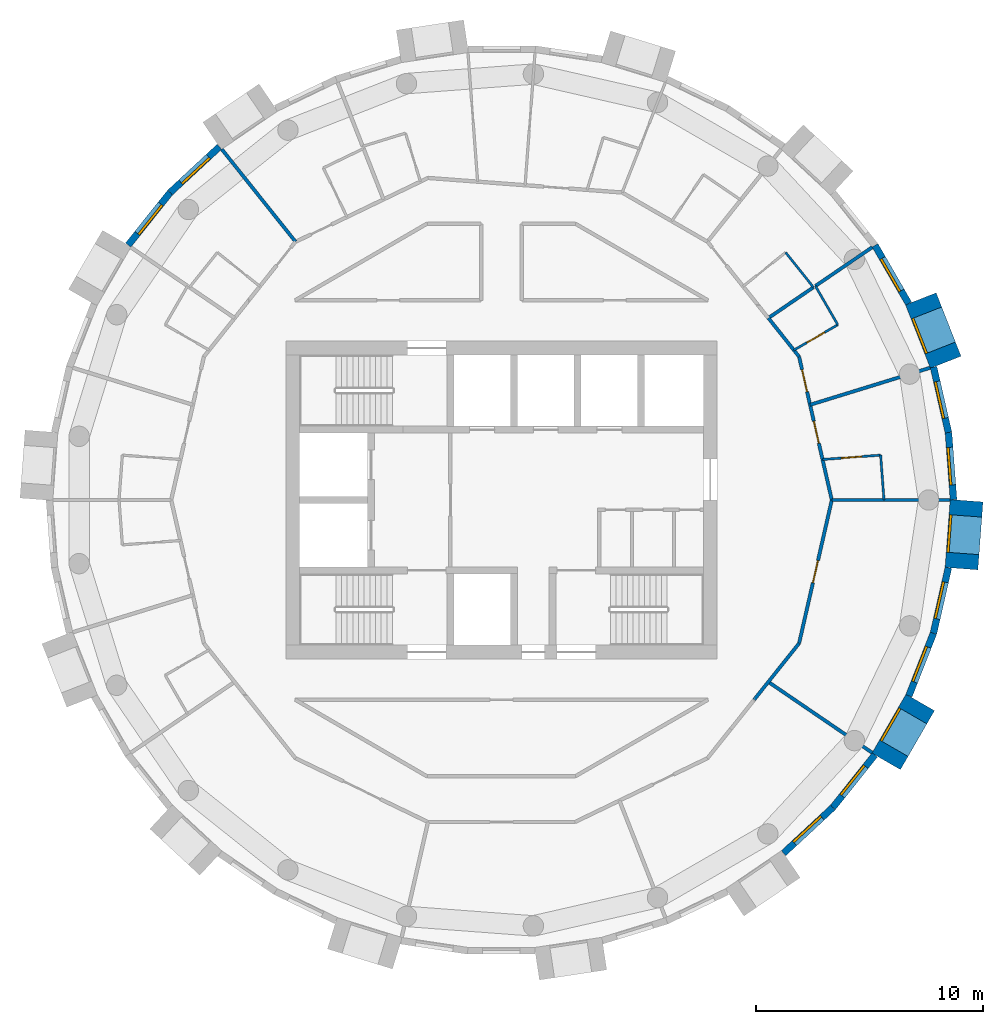
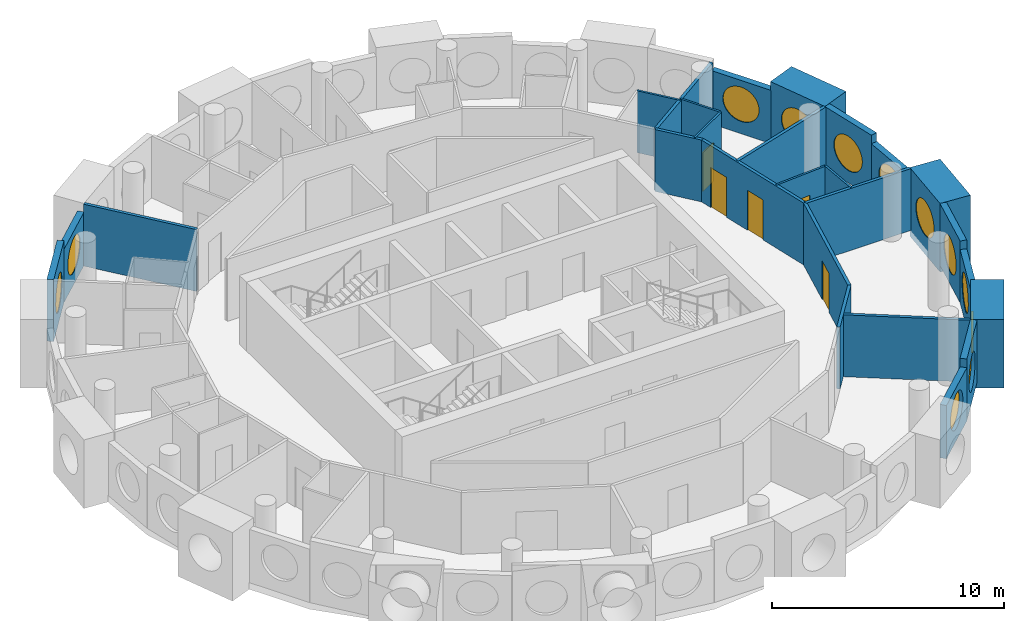
# One storey, part 9 of 12: 27 walls, 12 windows, 5 doors, 17 openings.
"""IFC4 building model written with IfcOpenShell, lengths in metres."""

from ifc_helpers import new_model, si_unit, direction, frame, frame_2d, origin, origin_2d, place, context, subcontext, project, spatial, rectangle, circle, extrude, material, layer, layer_set, type_object, element, fill, save


model = new_model("IFC4")

# Units and contexts
model_context = context("Model", 3, precision=1e-05, world=origin(), true_north=direction((0.0, 1.0)))
body_context = subcontext(model_context, "Body", "Model", "MODEL_VIEW")
ifc_project = project(units=[si_unit("LENGTHUNIT", "METRE"), si_unit("AREAUNIT", "SQUARE_METRE"), si_unit("VOLUMEUNIT", "CUBIC_METRE"), si_unit("PLANEANGLEUNIT", "RADIAN"), si_unit("MASSUNIT", "GRAM", prefix="KILO")], contexts=[model_context])

# Site, building, storey
site_placement = place(None, origin())
site = spatial("IfcSite", under=ifc_project, at=site_placement, CompositionType="ELEMENT")
building_placement = place(site_placement, origin())
building = spatial("IfcBuilding", under=site, at=building_placement, Name="Tracery Tower", CompositionType="ELEMENT")
storey_placement = place(building_placement, frame((0.0, 0.0, 305.39990234375)))
storey = spatial("IfcBuildingStorey", under=building, at=storey_placement, Name="L79", CompositionType="ELEMENT", Elevation=305.39990234375)

# Wall, opening, window
ifc_material_1 = material(Name="Precast concrete C50/60", Category="concrete")
ifc_layer_1 = layer(ifc_material_1, 1.449951171875)
ifc_layer_set_1 = layer_set([ifc_layer_1], Name="Deep-set bay unit 3000 x 3600, slab edge 350")
wall_type_1 = type_object("IfcWallType", Name="Deep-set bay unit 3000 x 3600, slab edge 350", PredefinedType="ELEMENTEDWALL", material=ifc_layer_set_1)
wall_1_placement = place(storey_placement, frame((19.576171875, 6.071533203125, -0.349853515625), z_axis=(0.0, 0.0, 1.0), x_axis=(-0.36537792632, 0.93085926485, 0.0)))
wall_1 = element("IfcWall", 1, at=wall_1_placement, inside=storey, type_object=wall_type_1, Name="Deep-set bay unit 3 at L79", PredefinedType="ELEMENTEDWALL", context=body_context, shape_type="SweptSolid", body=[
    extrude(rectangle(XDim=3.000244140625, YDim=1.449951171875, at=frame_2d((1.5, 0.0))), origin(), (0.0, 0.0, 1.0), 3.599853515625),
])
opening_1_placement = place(wall_1_placement, frame((1.5, 0.0, 1.89990234375)))
opening_1 = element("IfcOpeningElement", 2, at=opening_1_placement, cuts=wall_1, Name="Opening WN1", PredefinedType="OPENING", context=body_context, shape_type="SweptSolid", body=[
    extrude(circle(Radius=0.9000244140625, at=origin_2d()), frame((0.0, 0.73486328125, 0.0), z_axis=(0.0, -1.0, 0.0), x_axis=(1.0, 0.0, 0.0)), (0.0, 0.0, 1.0), 1.469970703125),
])
ifc_material_2 = material(Name="Aluminium frame with tinted double glazing", Category="aluminium")
window_type = type_object("IfcWindowType", Name="Round window 1800", PartitioningType="SINGLE_PANEL", PredefinedType="WINDOW", material=ifc_material_2)
window_1_placement = place(opening_1_placement, origin())
window_1 = element("IfcWindow", 3, at=window_1_placement, inside=storey, type_object=window_type, Name="Round window 3 at L79", OverallHeight=1.800048828125, OverallWidth=1.800048828125, PartitioningType="SINGLE_PANEL", PredefinedType="WINDOW", context=body_context, shape_type="SweptSolid", body=[
    extrude(circle(Radius=0.9000244140625, at=origin_2d()), frame((0.0, 0.69482421875, 0.0), z_axis=(0.0, -1.0, 0.0), x_axis=(1.0, 0.0, 0.0)), (0.0, 0.0, 1.0), 0.10009765625),
])
fill(opening_1, window_1)

wall_2_placement = place(storey_placement, frame((16.952392578125, -11.51953125, -0.349853515625), z_axis=(0.0, 0.0, 1.0), x_axis=(0.499990139034, 0.866031096941, 0.0)))
wall_2 = element("IfcWall", 4, at=wall_2_placement, inside=storey, type_object=wall_type_1, Name="Deep-set bay unit 39 at L79", PredefinedType="ELEMENTEDWALL", context=body_context, shape_type="SweptSolid", body=[
    extrude(rectangle(XDim=3.0, YDim=1.449951171875, at=frame_2d((1.5, 0.0))), origin(), (0.0, 0.0, 1.0), 3.599853515625),
])
opening_2_placement = place(wall_2_placement, frame((1.5, 0.0, 1.89990234375)))
opening_2 = element("IfcOpeningElement", 5, at=opening_2_placement, cuts=wall_2, Name="Opening WN1", PredefinedType="OPENING", context=body_context, shape_type="SweptSolid", body=[
    extrude(circle(Radius=0.9000244140625, at=origin_2d()), frame((0.0, 0.73486328125, 0.0), z_axis=(0.0, -1.0, 0.0), x_axis=(1.0, 0.0, 0.0)), (0.0, 0.0, 1.0), 1.469970703125),
])
window_2_placement = place(opening_2_placement, origin())
window_2 = element("IfcWindow", 6, at=window_2_placement, inside=storey, type_object=window_type, Name="Round window 39 at L79", OverallHeight=1.800048828125, OverallWidth=1.800048828125, PartitioningType="SINGLE_PANEL", PredefinedType="WINDOW", context=body_context, shape_type="SweptSolid", body=[
    extrude(circle(Radius=0.9000244140625, at=origin_2d()), frame((0.0, 0.69482421875, 0.0), z_axis=(0.0, -1.0, 0.0), x_axis=(1.0, 0.0, 0.0)), (0.0, 0.0, 1.0), 0.10009765625),
])
fill(opening_2, window_2)

wall_3_placement = place(storey_placement, frame((20.271728515625, -3.0234375, -0.349853515625), z_axis=(0.0, 0.0, 1.0), x_axis=(0.074785902127, 0.997199613339, 0.0)))
wall_3 = element("IfcWall", 7, at=wall_3_placement, inside=storey, type_object=wall_type_1, Name="Deep-set bay unit 42 at L79", PredefinedType="ELEMENTEDWALL", context=body_context, shape_type="SweptSolid", body=[
    extrude(rectangle(XDim=3.0, YDim=1.449951171875, at=frame_2d((1.5, 0.0))), origin(), (0.0, 0.0, 1.0), 3.599853515625),
])
opening_3_placement = place(wall_3_placement, frame((1.5, 0.0, 1.89990234375)))
opening_3 = element("IfcOpeningElement", 8, at=opening_3_placement, cuts=wall_3, Name="Opening WN1", PredefinedType="OPENING", context=body_context, shape_type="SweptSolid", body=[
    extrude(circle(Radius=0.9000244140625, at=origin_2d()), frame((0.0, 0.73486328125, 0.0), z_axis=(0.0, -1.0, 0.0), x_axis=(1.0, 0.0, 0.0)), (0.0, 0.0, 1.0), 1.469970703125),
])
window_3_placement = place(opening_3_placement, origin())
window_3 = element("IfcWindow", 9, at=window_3_placement, inside=storey, type_object=window_type, Name="Round window 42 at L79", OverallHeight=1.800048828125, OverallWidth=1.800048828125, PartitioningType="SINGLE_PANEL", PredefinedType="WINDOW", context=body_context, shape_type="SweptSolid", body=[
    extrude(circle(Radius=0.9000244140625, at=origin_2d()), frame((0.0, 0.69482421875, 0.0), z_axis=(0.0, -1.0, 0.0), x_axis=(1.0, 0.0, 0.0)), (0.0, 0.0, 1.0), 0.10009765625),
])
fill(opening_3, window_3)

ifc_material_3 = material(Name="Precast concrete C50/60", Category="concrete")
ifc_layer_2 = layer(ifc_material_3, 0.300048828125)
ifc_layer_set_2 = layer_set([ifc_layer_2], Name="Facade panel 3000 x 2800")
wall_type_2 = type_object("IfcWallType", Name="Facade panel 3000 x 2800", PredefinedType="SOLIDWALL", material=ifc_layer_set_2)
wall_4_placement = place(storey_placement, frame((19.920654296875, 0.01513671875, 0.0), z_axis=(0.0, 0.0, 1.0), x_axis=(-0.07474897196, 0.997202382263, 0.0)))
wall_4 = element("IfcWall", 10, at=wall_4_placement, inside=storey, type_object=wall_type_2, Name="Facade panel 1 at L79", PredefinedType="SOLIDWALL", context=body_context, shape_type="SweptSolid", body=[
    extrude(rectangle(XDim=2.96240234375, YDim=0.300048828125, at=frame_2d((1.481201171875, 0.0))), origin(), (0.0, 0.0, 1.0), 2.800048828125),
])
opening_4_placement = place(wall_4_placement, frame((1.48095703125, 0.0, 1.5498046875)))
opening_4 = element("IfcOpeningElement", 11, at=opening_4_placement, cuts=wall_4, Name="Opening WN1", PredefinedType="OPENING", context=body_context, shape_type="SweptSolid", body=[
    extrude(circle(Radius=0.9000244140625, at=origin_2d()), frame((0.0, 0.159912109375, 0.0), z_axis=(0.0, -1.0, 0.0), x_axis=(1.0, 0.0, 0.0)), (0.0, 0.0, 1.0), 0.320068359375),
])
window_4_placement = place(opening_4_placement, origin())
window_4 = element("IfcWindow", 12, at=window_4_placement, inside=storey, type_object=window_type, Name="Round window 1 at L79", OverallHeight=1.800048828125, OverallWidth=1.800048828125, PartitioningType="SINGLE_PANEL", PredefinedType="WINDOW", context=body_context, shape_type="SweptSolid", body=[
    extrude(circle(Radius=0.9000244140625, at=origin_2d()), frame((0.0, 0.1201171875, 0.0), z_axis=(0.0, -1.0, 0.0), x_axis=(1.0, 0.0, 0.0)), (0.0, 0.0, 1.0), 0.10009765625),
])
fill(opening_4, window_4)

wall_5_placement = place(storey_placement, frame((17.941162109375, 8.656982421875, 0.0), z_axis=(0.0, 0.0, 1.0), x_axis=(-0.499950756475, 0.86605383268, 0.0)))
wall_5 = element("IfcWall", 13, at=wall_5_placement, inside=storey, type_object=wall_type_2, Name="Facade panel 4 at L79", PredefinedType="SOLIDWALL", context=body_context, shape_type="SweptSolid", body=[
    extrude(rectangle(XDim=2.962158203125, YDim=0.300048828125, at=frame_2d((1.48095703125, 0.0))), origin(), (0.0, 0.0, 1.0), 2.800048828125),
])
opening_5_placement = place(wall_5_placement, frame((1.48095703125, 0.0, 1.5498046875)))
opening_5 = element("IfcOpeningElement", 14, at=opening_5_placement, cuts=wall_5, Name="Opening WN1", PredefinedType="OPENING", context=body_context, shape_type="SweptSolid", body=[
    extrude(circle(Radius=0.9000244140625, at=origin_2d()), frame((0.0, 0.159912109375, 0.0), z_axis=(0.0, -1.0, 0.0), x_axis=(1.0, 0.0, 0.0)), (0.0, 0.0, 1.0), 0.320068359375),
])
window_5_placement = place(opening_5_placement, origin())
window_5 = element("IfcWindow", 15, at=window_5_placement, inside=storey, type_object=window_type, Name="Round window 4 at L79", OverallHeight=1.800048828125, OverallWidth=1.800048828125, PartitioningType="SINGLE_PANEL", PredefinedType="WINDOW", context=body_context, shape_type="SweptSolid", body=[
    extrude(circle(Radius=0.9000244140625, at=origin_2d()), frame((0.0, 0.1201171875, 0.0), z_axis=(0.0, -1.0, 0.0), x_axis=(1.0, 0.0, 0.0)), (0.0, 0.0, 1.0), 0.10009765625),
])
fill(opening_5, window_5)

wall_6_placement = place(storey_placement, frame((-12.43212890625, 15.565185546875, 0.0), z_axis=(0.0, 0.0, 1.0), x_axis=(-0.733066412643, -0.680157066165, 0.0)))
wall_6 = element("IfcWall", 16, at=wall_6_placement, inside=storey, type_object=wall_type_2, Name="Facade panel 16 at L79", PredefinedType="SOLIDWALL", context=body_context, shape_type="SweptSolid", body=[
    extrude(rectangle(XDim=2.96240234375, YDim=0.300048828125, at=frame_2d((1.481201171875, 0.0))), origin(), (0.0, 0.0, 1.0), 2.800048828125),
])
opening_6_placement = place(wall_6_placement, frame((1.48095703125, 0.0, 1.5498046875)))
opening_6 = element("IfcOpeningElement", 17, at=opening_6_placement, cuts=wall_6, Name="Opening WN1", PredefinedType="OPENING", context=body_context, shape_type="SweptSolid", body=[
    extrude(circle(Radius=0.9000244140625, at=origin_2d()), frame((0.0, 0.159912109375, 0.0), z_axis=(0.0, -1.0, 0.0), x_axis=(1.0, 0.0, 0.0)), (0.0, 0.0, 1.0), 0.320068359375),
])
window_6_placement = place(opening_6_placement, origin())
window_6 = element("IfcWindow", 18, at=window_6_placement, inside=storey, type_object=window_type, Name="Round window 16 at L79", OverallHeight=1.800048828125, OverallWidth=1.800048828125, PartitioningType="SINGLE_PANEL", PredefinedType="WINDOW", context=body_context, shape_type="SweptSolid", body=[
    extrude(circle(Radius=0.9000244140625, at=origin_2d()), frame((0.0, 0.1201171875, 0.0), z_axis=(0.0, -1.0, 0.0), x_axis=(1.0, 0.0, 0.0)), (0.0, 0.0, 1.0), 0.10009765625),
])
fill(opening_6, window_6)

wall_7_placement = place(storey_placement, frame((12.43212890625, -15.565185546875, 0.0), z_axis=(0.0, 0.0, 1.0), x_axis=(0.733066412643, 0.680157066165, 0.0)))
wall_7 = element("IfcWall", 19, at=wall_7_placement, inside=storey, type_object=wall_type_2, Name="Facade panel 37 at L79", PredefinedType="SOLIDWALL", context=body_context, shape_type="SweptSolid", body=[
    extrude(rectangle(XDim=2.96240234375, YDim=0.300048828125, at=frame_2d((1.481201171875, 0.0))), origin(), (0.0, 0.0, 1.0), 2.800048828125),
])
opening_7_placement = place(wall_7_placement, frame((1.48095703125, 0.0, 1.5498046875)))
opening_7 = element("IfcOpeningElement", 20, at=opening_7_placement, cuts=wall_7, Name="Opening WN1", PredefinedType="OPENING", context=body_context, shape_type="SweptSolid", body=[
    extrude(circle(Radius=0.9000244140625, at=origin_2d()), frame((0.0, 0.159912109375, 0.0), z_axis=(0.0, -1.0, 0.0), x_axis=(1.0, 0.0, 0.0)), (0.0, 0.0, 1.0), 0.320068359375),
])
window_7_placement = place(opening_7_placement, origin())
window_7 = element("IfcWindow", 21, at=window_7_placement, inside=storey, type_object=window_type, Name="Round window 37 at L79", OverallHeight=1.800048828125, OverallWidth=1.800048828125, PartitioningType="SINGLE_PANEL", PredefinedType="WINDOW", context=body_context, shape_type="SweptSolid", body=[
    extrude(circle(Radius=0.9000244140625, at=origin_2d()), frame((0.0, 0.1201171875, 0.0), z_axis=(0.0, -1.0, 0.0), x_axis=(1.0, 0.0, 0.0)), (0.0, 0.0, 1.0), 0.10009765625),
])
fill(opening_7, window_7)

wall_8_placement = place(storey_placement, frame((17.95458984375, -8.62939453125, 0.0), z_axis=(0.0, 0.0, 1.0), x_axis=(0.36530043032, 0.930889679612, 0.0)))
wall_8 = element("IfcWall", 22, at=wall_8_placement, inside=storey, type_object=wall_type_2, Name="Facade panel 40 at L79", PredefinedType="SOLIDWALL", context=body_context, shape_type="SweptSolid", body=[
    extrude(rectangle(XDim=2.9619140625, YDim=0.300048828125, at=frame_2d((1.48095703125, 0.0))), origin(), (0.0, 0.0, 1.0), 2.800048828125),
])
opening_8_placement = place(wall_8_placement, frame((1.48095703125, 0.0, 1.5498046875)))
opening_8 = element("IfcOpeningElement", 23, at=opening_8_placement, cuts=wall_8, Name="Opening WN1", PredefinedType="OPENING", context=body_context, shape_type="SweptSolid", body=[
    extrude(circle(Radius=0.9000244140625, at=origin_2d()), frame((0.0, 0.159912109375, 0.0), z_axis=(0.0, -1.0, 0.0), x_axis=(1.0, 0.0, 0.0)), (0.0, 0.0, 1.0), 0.320068359375),
])
window_8_placement = place(opening_8_placement, origin())
window_8 = element("IfcWindow", 24, at=window_8_placement, inside=storey, type_object=window_type, Name="Round window 40 at L79", OverallHeight=1.800048828125, OverallWidth=1.800048828125, PartitioningType="SINGLE_PANEL", PredefinedType="WINDOW", context=body_context, shape_type="SweptSolid", body=[
    extrude(circle(Radius=0.9000244140625, at=origin_2d()), frame((0.0, 0.1201171875, 0.0), z_axis=(0.0, -1.0, 0.0), x_axis=(1.0, 0.0, 0.0)), (0.0, 0.0, 1.0), 0.10009765625),
])
fill(opening_8, window_8)

ifc_material_4 = material(Name="Precast concrete C50/60", Category="concrete")
ifc_layer_3 = layer(ifc_material_4, 0.300048828125)
ifc_layer_set_3 = layer_set([ifc_layer_3], Name="Facade panel 3000 x 3250")
wall_type_3 = type_object("IfcWallType", Name="Facade panel 3000 x 3250", PredefinedType="SOLIDWALL", material=ifc_layer_set_3)
wall_9_placement = place(storey_placement, frame((19.69921875, 2.96923828125, 0.0), z_axis=(0.0, 0.0, 1.0), x_axis=(-0.222529389789, 0.974925982155, 0.0)))
wall_9 = element("IfcWall", 25, at=wall_9_placement, inside=storey, type_object=wall_type_3, Name="Facade panel 2 at L79", PredefinedType="SOLIDWALL", context=body_context, shape_type="SweptSolid", body=[
    extrude(rectangle(XDim=2.962158203125, YDim=0.300048828125, at=frame_2d((1.48095703125, 0.0))), origin(), (0.0, 0.0, 1.0), 3.25),
])
opening_9_placement = place(wall_9_placement, frame((1.48095703125, 0.0, 1.5498046875)))
opening_9 = element("IfcOpeningElement", 26, at=opening_9_placement, cuts=wall_9, Name="Opening WN1", PredefinedType="OPENING", context=body_context, shape_type="SweptSolid", body=[
    extrude(circle(Radius=0.9000244140625, at=origin_2d()), frame((0.0, 0.159912109375, 0.0), z_axis=(0.0, -1.0, 0.0), x_axis=(1.0, 0.0, 0.0)), (0.0, 0.0, 1.0), 0.320068359375),
])
window_9_placement = place(opening_9_placement, origin())
window_9 = element("IfcWindow", 27, at=window_9_placement, inside=storey, type_object=window_type, Name="Round window 2 at L79", OverallHeight=1.800048828125, OverallWidth=1.800048828125, PartitioningType="SINGLE_PANEL", PredefinedType="WINDOW", context=body_context, shape_type="SweptSolid", body=[
    extrude(circle(Radius=0.9000244140625, at=origin_2d()), frame((0.0, 0.1201171875, 0.0), z_axis=(0.0, -1.0, 0.0), x_axis=(1.0, 0.0, 0.0)), (0.0, 0.0, 1.0), 0.10009765625),
])
fill(opening_9, window_9)

wall_10_placement = place(storey_placement, frame((-14.603759765625, 13.55029296875, 0.0), z_axis=(0.0, 0.0, 1.0), x_axis=(-0.623498236992, -0.781824755599, 0.0)))
wall_10 = element("IfcWall", 28, at=wall_10_placement, inside=storey, type_object=wall_type_3, Name="Facade panel 17 at L79", PredefinedType="SOLIDWALL", context=body_context, shape_type="SweptSolid", body=[
    extrude(rectangle(XDim=2.962158203125, YDim=0.300048828125, at=frame_2d((1.48095703125, 0.0))), origin(), (0.0, 0.0, 1.0), 3.25),
])
opening_10_placement = place(wall_10_placement, frame((1.48095703125, 0.0, 1.5498046875)))
opening_10 = element("IfcOpeningElement", 29, at=opening_10_placement, cuts=wall_10, Name="Opening WN1", PredefinedType="OPENING", context=body_context, shape_type="SweptSolid", body=[
    extrude(circle(Radius=0.9000244140625, at=origin_2d()), frame((0.0, 0.159912109375, 0.0), z_axis=(0.0, -1.0, 0.0), x_axis=(1.0, 0.0, 0.0)), (0.0, 0.0, 1.0), 0.320068359375),
])
window_10_placement = place(opening_10_placement, origin())
window_10 = element("IfcWindow", 30, at=window_10_placement, inside=storey, type_object=window_type, Name="Round window 17 at L79", OverallHeight=1.800048828125, OverallWidth=1.800048828125, PartitioningType="SINGLE_PANEL", PredefinedType="WINDOW", context=body_context, shape_type="SweptSolid", body=[
    extrude(circle(Radius=0.9000244140625, at=origin_2d()), frame((0.0, 0.1201171875, 0.0), z_axis=(0.0, -1.0, 0.0), x_axis=(1.0, 0.0, 0.0)), (0.0, 0.0, 1.0), 0.10009765625),
])
fill(opening_10, window_10)

wall_11_placement = place(storey_placement, frame((14.603759765625, -13.55029296875, 0.0), z_axis=(0.0, 0.0, 1.0), x_axis=(0.623498236992, 0.781824755599, 0.0)))
wall_11 = element("IfcWall", 31, at=wall_11_placement, inside=storey, type_object=wall_type_3, Name="Facade panel 38 at L79", PredefinedType="SOLIDWALL", context=body_context, shape_type="SweptSolid", body=[
    extrude(rectangle(XDim=2.962158203125, YDim=0.300048828125, at=frame_2d((1.48095703125, 0.0))), origin(), (0.0, 0.0, 1.0), 3.25),
])
opening_11_placement = place(wall_11_placement, frame((1.48095703125, 0.0, 1.5498046875)))
opening_11 = element("IfcOpeningElement", 32, at=opening_11_placement, cuts=wall_11, Name="Opening WN1", PredefinedType="OPENING", context=body_context, shape_type="SweptSolid", body=[
    extrude(circle(Radius=0.9000244140625, at=origin_2d()), frame((0.0, 0.159912109375, 0.0), z_axis=(0.0, -1.0, 0.0), x_axis=(1.0, 0.0, 0.0)), (0.0, 0.0, 1.0), 0.320068359375),
])
window_11_placement = place(opening_11_placement, origin())
window_11 = element("IfcWindow", 33, at=window_11_placement, inside=storey, type_object=window_type, Name="Round window 38 at L79", OverallHeight=1.800048828125, OverallWidth=1.800048828125, PartitioningType="SINGLE_PANEL", PredefinedType="WINDOW", context=body_context, shape_type="SweptSolid", body=[
    extrude(circle(Radius=0.9000244140625, at=origin_2d()), frame((0.0, 0.1201171875, 0.0), z_axis=(0.0, -1.0, 0.0), x_axis=(1.0, 0.0, 0.0)), (0.0, 0.0, 1.0), 0.10009765625),
])
fill(opening_11, window_11)

wall_12_placement = place(storey_placement, frame((19.03662109375, -5.8720703125, 0.0), z_axis=(0.0, 0.0, 1.0), x_axis=(0.222529389789, 0.974925982155, 0.0)))
wall_12 = element("IfcWall", 34, at=wall_12_placement, inside=storey, type_object=wall_type_3, Name="Facade panel 41 at L79", PredefinedType="SOLIDWALL", context=body_context, shape_type="SweptSolid", body=[
    extrude(rectangle(XDim=2.962158203125, YDim=0.300048828125, at=frame_2d((1.48095703125, 0.0))), origin(), (0.0, 0.0, 1.0), 3.25),
])
opening_12_placement = place(wall_12_placement, frame((1.48095703125, 0.0, 1.5498046875)))
opening_12 = element("IfcOpeningElement", 35, at=opening_12_placement, cuts=wall_12, Name="Opening WN1", PredefinedType="OPENING", context=body_context, shape_type="SweptSolid", body=[
    extrude(circle(Radius=0.9000244140625, at=origin_2d()), frame((0.0, 0.159912109375, 0.0), z_axis=(0.0, -1.0, 0.0), x_axis=(1.0, 0.0, 0.0)), (0.0, 0.0, 1.0), 0.320068359375),
])
window_12_placement = place(opening_12_placement, origin())
window_12 = element("IfcWindow", 36, at=window_12_placement, inside=storey, type_object=window_type, Name="Round window 41 at L79", OverallHeight=1.800048828125, OverallWidth=1.800048828125, PartitioningType="SINGLE_PANEL", PredefinedType="WINDOW", context=body_context, shape_type="SweptSolid", body=[
    extrude(circle(Radius=0.9000244140625, at=origin_2d()), frame((0.0, 0.1201171875, 0.0), z_axis=(0.0, -1.0, 0.0), x_axis=(1.0, 0.0, 0.0)), (0.0, 0.0, 1.0), 0.10009765625),
])
fill(opening_12, window_12)

# Wall
ifc_material_5 = material(Name="Plasterboard on steel studs", Category="steel")
ifc_layer_4 = layer(ifc_material_5, 0.10009765625)
ifc_layer_set_4 = layer_set([ifc_layer_4], Name="Partition 100 wet wall")
wall_type_4 = type_object("IfcWallType", Name="Partition 100 wet wall", PredefinedType="PARTITIONING", material=ifc_layer_set_4)
wall_13_placement = place(storey_placement, frame((16.7080078125, 1.97705078125, 0.0), z_axis=(0.0, 0.0, 1.0), x_axis=(0.074624634103, -0.997211694669, 0.0)))
element("IfcWall", 37, at=wall_13_placement, inside=storey, type_object=wall_type_4, Name="Wet wall RC8-043", PredefinedType="PARTITIONING", context=body_context, shape_type="SweptSolid", body=[
    extrude(rectangle(XDim=1.982666015625, YDim=0.10009765625, at=frame_2d((0.9912109375, 0.0))), origin(), (0.0, 0.0, 1.0), 3.25),
])

# Wall, opening, door
wall_14_placement = place(storey_placement, frame((14.14892578125, 1.784912109375, 0.0), z_axis=(0.0, 0.0, 1.0), x_axis=(0.997193275785, 0.074870359477, 0.0)))
wall_14 = element("IfcWall", 38, at=wall_14_placement, inside=storey, type_object=wall_type_4, Name="Wet wall RC8-044", PredefinedType="PARTITIONING", context=body_context, shape_type="SweptSolid", body=[
    extrude(rectangle(XDim=2.56640625, YDim=0.10009765625, at=frame_2d((1.283203125, 0.0))), origin(), (0.0, 0.0, 1.0), 3.25),
])
opening_13_placement = place(wall_14_placement, frame((0.833251953125, 0.0, 0.0)))
opening_13 = element("IfcOpeningElement", 39, at=opening_13_placement, cuts=wall_14, Name="Opening RC8-04", PredefinedType="OPENING", context=body_context, shape_type="SweptSolid", body=[
    extrude(rectangle(XDim=0.89990234375, YDim=2.0400390625, at=frame_2d((0.449951171875, 1.02001953125))), frame((0.0, 0.050048828125, 0.0), z_axis=(0.0, -1.0, 0.0), x_axis=(1.0, 0.0, 0.0)), (0.0, 0.0, 1.0), 0.10009765625),
])
ifc_material_6 = material(Name="Timber door leaf", Category="wood")
door_type_1 = type_object("IfcDoorType", Name="Door en-suite 900", OperationType="NOTDEFINED", PredefinedType="DOOR", material=ifc_material_6)
door_1_placement = place(opening_13_placement, origin())
door_1 = element("IfcDoor", 40, at=door_1_placement, inside=storey, type_object=door_type_1, Name="En-suite door RC8-04", OperationType="SINGLE_SWING_LEFT", OverallHeight=2.0400390625, OverallWidth=0.89990234375, PredefinedType="DOOR", context=body_context, shape_type="SweptSolid", body=[
    extrude(rectangle(XDim=0.89990234375, YDim=2.0400390625, at=frame_2d((0.449951171875, 1.02001953125))), frame((0.0, 0.02490234375, 0.0), z_axis=(0.0, -1.0, 0.0), x_axis=(1.0, 0.0, 0.0)), (0.0, 0.0, 1.0), 0.050048828125),
])
fill(opening_13, door_1)

wall_15_placement = place(storey_placement, frame((12.885009765625, 6.60498046875, 0.0), z_axis=(0.0, 0.0, 1.0), x_axis=(0.866076416361, 0.499911633214, 0.0)))
wall_15 = element("IfcWall", 41, at=wall_15_placement, inside=storey, type_object=wall_type_4, Name="Wet wall RC8-047", PredefinedType="PARTITIONING", context=body_context, shape_type="SweptSolid", body=[
    extrude(rectangle(XDim=2.234375, YDim=0.10009765625, at=frame_2d((1.1171875, 0.0))), origin(), (0.0, 0.0, 1.0), 3.25),
])
opening_14_placement = place(wall_15_placement, frame((0.6669921875, 0.0, 0.0)))
opening_14 = element("IfcOpeningElement", 42, at=opening_14_placement, cuts=wall_15, Name="Opening RC8-06", PredefinedType="OPENING", context=body_context, shape_type="SweptSolid", body=[
    extrude(rectangle(XDim=0.89990234375, YDim=2.0400390625, at=frame_2d((0.449951171875, 1.02001953125))), frame((0.0, 0.050048828125, 0.0), z_axis=(0.0, -1.0, 0.0), x_axis=(1.0, 0.0, 0.0)), (0.0, 0.0, 1.0), 0.10009765625),
])
door_2_placement = place(opening_14_placement, origin())
door_2 = element("IfcDoor", 43, at=door_2_placement, inside=storey, type_object=door_type_1, Name="En-suite door RC8-06", OperationType="SINGLE_SWING_LEFT", OverallHeight=2.0400390625, OverallWidth=0.89990234375, PredefinedType="DOOR", context=body_context, shape_type="SweptSolid", body=[
    extrude(rectangle(XDim=0.89990234375, YDim=2.0400390625, at=frame_2d((0.449951171875, 1.02001953125))), frame((0.0, 0.02490234375, 0.0), z_axis=(0.0, -1.0, 0.0), x_axis=(1.0, 0.0, 0.0)), (0.0, 0.0, 1.0), 0.050048828125),
])
fill(opening_14, door_2)

# Walls
wall_16_placement = place(storey_placement, frame((13.8330078125, 9.430908203125, 0.0), z_axis=(0.0, 0.0, 1.0), x_axis=(0.500143626598, -0.865942465048, 0.0)))
element("IfcWall", 44, at=wall_16_placement, inside=storey, type_object=wall_type_4, Name="Wet wall RC8-048", PredefinedType="PARTITIONING", context=body_context, shape_type="SweptSolid", body=[
    extrude(rectangle(XDim=1.9736328125, YDim=0.10009765625, at=frame_2d((0.98681640625, 0.0))), origin(), (0.0, 0.0, 1.0), 3.25),
])
wall_17_placement = place(storey_placement, frame((12.52197265625, 10.909912109375, 0.0), z_axis=(0.0, 0.0, 1.0), x_axis=(0.623330716607, -0.781958322249, 0.0)))
element("IfcWall", 45, at=wall_17_placement, inside=storey, type_object=wall_type_4, Name="Wet wall RC8-051", PredefinedType="PARTITIONING", context=body_context, shape_type="SweptSolid", body=[
    extrude(rectangle(XDim=1.96533203125, YDim=0.10009765625, at=frame_2d((0.982666015625, 0.0))), origin(), (0.0, 0.0, 1.0), 3.25),
])
ifc_material_7 = material(Name="Plasterboard on steel studs", Category="steel")
ifc_layer_5 = layer(ifc_material_7, 0.14990234375)
ifc_layer_set_5 = layer_set([ifc_layer_5], Name="Partition 150 acoustic unit wall")
wall_type_5 = type_object("IfcWallType", Name="Partition 150 acoustic unit wall", PredefinedType="PARTITIONING", material=ifc_layer_set_5)
wall_18_placement = place(storey_placement, frame((13.59912109375, 4.195068359375, 0.0), z_axis=(0.0, 0.0, 1.0), x_axis=(0.955580602693, 0.294729896274, 0.0)))
element("IfcWall", 46, at=wall_18_placement, inside=storey, type_object=wall_type_5, Name="Unit wall RC8-045", PredefinedType="PARTITIONING", context=body_context, shape_type="SweptSolid", body=[
    extrude(rectangle(XDim=5.5400390625, YDim=0.14990234375, at=frame_2d((2.77001953125, 0.0))), origin(), (0.0, 0.0, 1.0), 3.25),
])
wall_19_placement = place(storey_placement, frame((14.556884765625, 0.0, 0.0), z_axis=(0.0, 0.0, 1.0), x_axis=(1.0, 0.0, 0.0)))
element("IfcWall", 47, at=wall_19_placement, inside=storey, type_object=wall_type_5, Name="Unit wall RC8-046", PredefinedType="PARTITIONING", context=body_context, shape_type="SweptSolid", body=[
    extrude(rectangle(XDim=5.214111328125, YDim=0.14990234375, at=frame_2d((2.60693359375, 0.0))), origin(), (0.0, 0.0, 1.0), 3.25),
])
wall_20_placement = place(storey_placement, frame((13.8330078125, 9.430908203125, 0.0), z_axis=(0.0, 0.0, 1.0), x_axis=(0.826152320289, 0.56344684193, 0.0)))
element("IfcWall", 48, at=wall_20_placement, inside=storey, type_object=wall_type_5, Name="Unit wall RC8-049", PredefinedType="PARTITIONING", context=body_context, shape_type="SweptSolid", body=[
    extrude(rectangle(XDim=3.029541015625, YDim=0.14990234375, at=frame_2d((1.5146484375, 0.0))), origin(), (0.0, 0.0, 1.0), 3.25),
])
wall_21_placement = place(storey_placement, frame((11.759033203125, 8.01708984375, 0.0), z_axis=(0.0, 0.0, 1.0), x_axis=(0.826143746222, 0.563459413426, 0.0)))
element("IfcWall", 49, at=wall_21_placement, inside=storey, type_object=wall_type_5, Name="Unit wall RC8-050", PredefinedType="PARTITIONING", context=body_context, shape_type="SweptSolid", body=[
    extrude(rectangle(XDim=2.409912109375, YDim=0.14990234375, at=frame_2d((1.205078125, 0.0))), origin(), (0.0, 0.0, 1.0), 3.25),
])
wall_22_placement = place(storey_placement, frame((-12.326904296875, 15.4580078125, 0.0), z_axis=(0.0, 0.0, 1.0), x_axis=(0.623460949534, -0.781854490558, 0.0)))
element("IfcWall", 50, at=wall_22_placement, inside=storey, type_object=wall_type_5, Name="Unit wall RC8-068", PredefinedType="PARTITIONING", context=body_context, shape_type="SweptSolid", body=[
    extrude(rectangle(XDim=5.21435546875, YDim=0.14990234375, at=frame_2d((2.607177734375, 0.0))), origin(), (0.0, 0.0, 1.0), 3.25),
])
wall_23_placement = place(storey_placement, frame((11.759033203125, -8.01708984375, 0.0), z_axis=(0.0, 0.0, 1.0), x_axis=(0.826207761897, -0.563365542238, 0.0)))
element("IfcWall", 51, at=wall_23_placement, inside=storey, type_object=wall_type_5, Name="Unit wall RC8-087", PredefinedType="PARTITIONING", context=body_context, shape_type="SweptSolid", body=[
    extrude(rectangle(XDim=5.53955078125, YDim=0.14990234375, at=frame_2d((2.769775390625, 0.0))), origin(), (0.0, 0.0, 1.0), 3.25),
])

# Wall, openings, doors
ifc_material_8 = material(Name="Plasterboard on steel studs", Category="steel")
ifc_layer_6 = layer(ifc_material_8, 0.14990234375)
ifc_layer_set_6 = layer_set([ifc_layer_6], Name="Partition 150 corridor wall")
wall_type_6 = type_object("IfcWallType", Name="Partition 150 corridor wall", PredefinedType="PARTITIONING", material=ifc_layer_set_6)
wall_24_placement = place(storey_placement, frame((13.11474609375, 6.31591796875, 0.0), z_axis=(0.0, 0.0, 1.0), x_axis=(0.222568978642, -0.97491694505, 0.0)))
wall_24 = element("IfcWall", 52, at=wall_24_placement, inside=storey, type_object=wall_type_6, Name="Corridor wall RC8-020", PredefinedType="PARTITIONING", context=body_context, shape_type="SweptSolid", body=[
    extrude(rectangle(XDim=6.478515625, YDim=0.14990234375, at=frame_2d((3.2392578125, 0.0))), origin(), (0.0, 0.0, 1.0), 3.25),
])
opening_15_placement = place(wall_24_placement, frame((2.911376953125, 0.0, 0.0)))
opening_15 = element("IfcOpeningElement", 53, at=opening_15_placement, cuts=wall_24, Name="Opening RC8-05", PredefinedType="OPENING", context=body_context, shape_type="SweptSolid", body=[
    extrude(rectangle(XDim=1.0, YDim=2.10009765625, at=frame_2d((0.5, 1.050048828125))), frame((0.0, 0.074951171875, 0.0), z_axis=(0.0, -1.0, 0.0), x_axis=(1.0, 0.0, 0.0)), (0.0, 0.0, 1.0), 0.14990234375),
])
opening_16_placement = place(wall_24_placement, frame((0.590087890625, 0.0, 0.0)))
opening_16 = element("IfcOpeningElement", 54, at=opening_16_placement, cuts=wall_24, Name="Opening RC8-07", PredefinedType="OPENING", context=body_context, shape_type="SweptSolid", body=[
    extrude(rectangle(XDim=1.0, YDim=2.10009765625, at=frame_2d((0.5, 1.050048828125))), frame((0.0, 0.074951171875, 0.0), z_axis=(0.0, -1.0, 0.0), x_axis=(1.0, 0.0, 0.0)), (0.0, 0.0, 1.0), 0.14990234375),
])
ifc_material_9 = material(Name="Timber door leaf", Category="wood")
door_type_2 = type_object("IfcDoorType", Name="Door unit entrance 1000", OperationType="NOTDEFINED", PredefinedType="DOOR", material=ifc_material_9)
door_3_placement = place(opening_15_placement, origin())
door_3 = element("IfcDoor", 55, at=door_3_placement, inside=storey, type_object=door_type_2, Name="Unit entrance door RC8-05", OperationType="SINGLE_SWING_LEFT", OverallHeight=2.10009765625, OverallWidth=1.0, PredefinedType="DOOR", context=body_context, shape_type="SweptSolid", body=[
    extrude(rectangle(XDim=1.0, YDim=2.10009765625, at=frame_2d((0.5, 1.050048828125))), frame((0.0, 0.02490234375, 0.0), z_axis=(0.0, -1.0, 0.0), x_axis=(1.0, 0.0, 0.0)), (0.0, 0.0, 1.0), 0.050048828125),
])
fill(opening_15, door_3)
door_4_placement = place(opening_16_placement, origin())
door_4 = element("IfcDoor", 56, at=door_4_placement, inside=storey, type_object=door_type_2, Name="Unit entrance door RC8-07", OperationType="SINGLE_SWING_RIGHT", OverallHeight=2.10009765625, OverallWidth=1.0, PredefinedType="DOOR", context=body_context, shape_type="SweptSolid", body=[
    extrude(rectangle(XDim=1.0, YDim=2.10009765625, at=frame_2d((0.5, 1.050048828125))), frame((0.0, 0.02490234375, 0.0), z_axis=(0.0, -1.0, 0.0), x_axis=(1.0, 0.0, 0.0)), (0.0, 0.0, 1.0), 0.050048828125),
])
fill(opening_16, door_4)

# Walls
wall_25_placement = place(storey_placement, frame((11.759521484375, 8.02197265625, 0.0), z_axis=(0.0, 0.0, 1.0), x_axis=(0.62206805366, -0.782963177049, 0.0)))
element("IfcWall", 57, at=wall_25_placement, inside=storey, type_object=wall_type_6, Name="Corridor wall RC8-021", PredefinedType="PARTITIONING", context=body_context, shape_type="SweptSolid", body=[
    extrude(rectangle(XDim=2.178955078125, YDim=0.14990234375, at=frame_2d((1.08935546875, 0.0))), origin(), (0.0, 0.0, 1.0), 3.25),
])
wall_26_placement = place(storey_placement, frame((11.134033203125, -8.800048828125, 0.0), z_axis=(0.0, 0.0, 1.0), x_axis=(0.623560523309, 0.781775078761, 0.0)))
element("IfcWall", 58, at=wall_26_placement, inside=storey, type_object=wall_type_6, Name="Corridor wall RC8-023", PredefinedType="PARTITIONING", context=body_context, shape_type="SweptSolid", body=[
    extrude(rectangle(XDim=3.17724609375, YDim=0.14990234375, at=frame_2d((1.588623046875, 0.0))), origin(), (0.0, 0.0, 1.0), 3.25),
])

# Wall, opening, door
wall_27_placement = place(storey_placement, frame((13.114990234375, -6.31591796875, 0.0), z_axis=(0.0, 0.0, 1.0), x_axis=(0.222568978642, 0.97491694505, 0.0)))
wall_27 = element("IfcWall", 59, at=wall_27_placement, inside=storey, type_object=wall_type_6, Name="Corridor wall RC8-024", PredefinedType="PARTITIONING", context=body_context, shape_type="SweptSolid", body=[
    extrude(rectangle(XDim=6.478515625, YDim=0.14990234375, at=frame_2d((3.2392578125, 0.0))), origin(), (0.0, 0.0, 1.0), 3.25),
])
opening_17_placement = place(wall_27_placement, frame((2.739501953125, 0.0, 0.0)))
opening_17 = element("IfcOpeningElement", 60, at=opening_17_placement, cuts=wall_27, Name="Opening RC8-32", PredefinedType="OPENING", context=body_context, shape_type="SweptSolid", body=[
    extrude(rectangle(XDim=1.0, YDim=2.0400390625, at=frame_2d((0.5, 1.02001953125))), frame((0.0, 0.074951171875, 0.0), z_axis=(0.0, -1.0, 0.0), x_axis=(1.0, 0.0, 0.0)), (0.0, 0.0, 1.0), 0.14990234375),
])
ifc_material_10 = material(Name="Timber door leaf", Category="wood")
door_type_3 = type_object("IfcDoorType", Name="Door communal room 1000", OperationType="NOTDEFINED", PredefinedType="DOOR", material=ifc_material_10)
door_5_placement = place(opening_17_placement, origin())
door_5 = element("IfcDoor", 61, at=door_5_placement, inside=storey, type_object=door_type_3, Name="Communal room door RC8-32", OperationType="SINGLE_SWING_LEFT", OverallHeight=2.0400390625, OverallWidth=1.0, PredefinedType="DOOR", context=body_context, shape_type="SweptSolid", body=[
    extrude(rectangle(XDim=1.0, YDim=2.0400390625, at=frame_2d((0.5, 1.02001953125))), frame((0.0, 0.02490234375, 0.0), z_axis=(0.0, -1.0, 0.0), x_axis=(1.0, 0.0, 0.0)), (0.0, 0.0, 1.0), 0.050048828125),
])
fill(opening_17, door_5)

save(model, "model.ifc")
